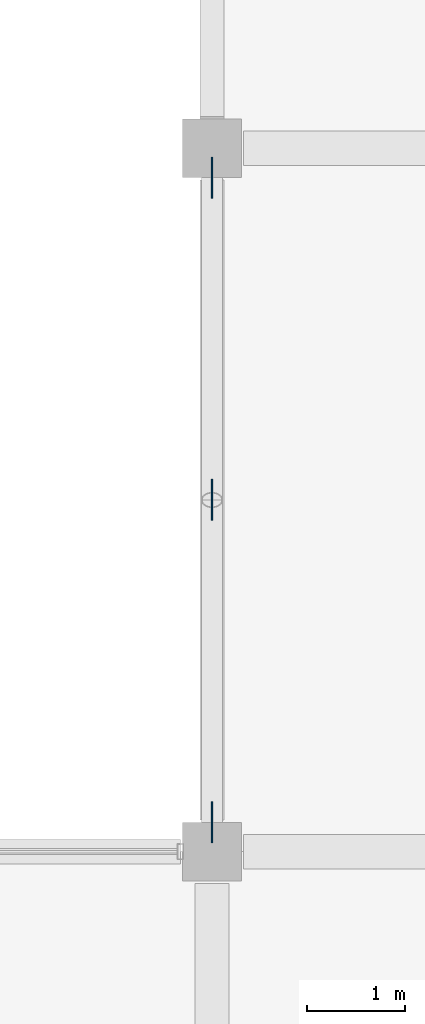
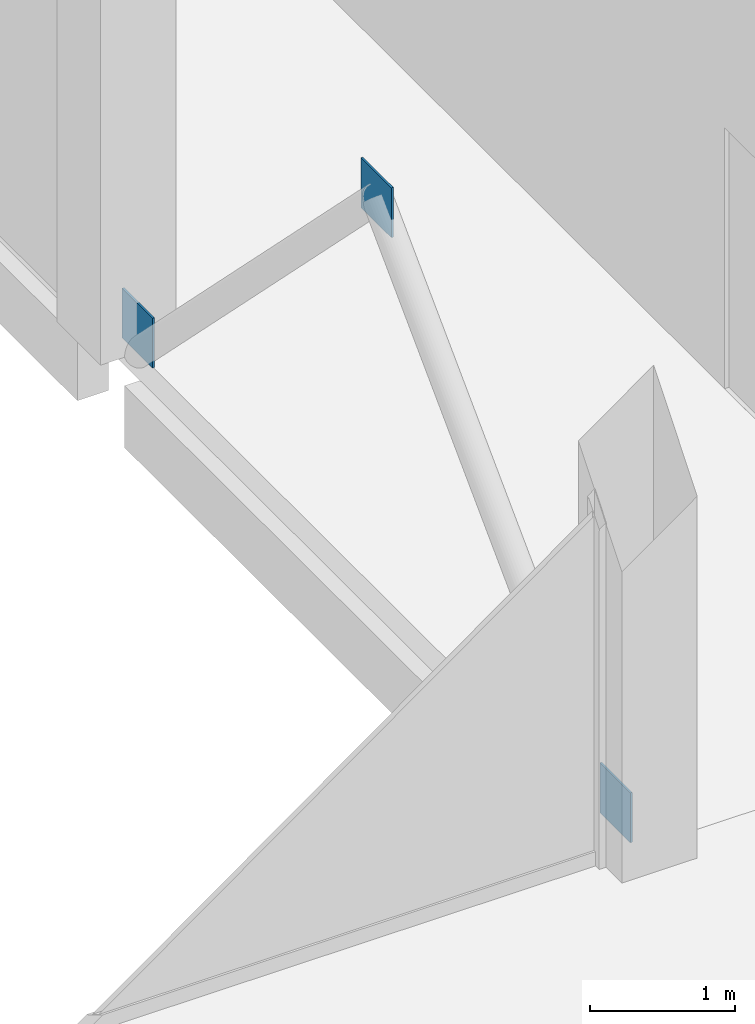
# One storey, part 36 of 59: 3 plates.
"""IFC4 building model written with IfcOpenShell, lengths in metres."""

from ifc_helpers import new_model, si_unit, direction, frame, origin, origin_2d, place, context, subcontext, project, spatial, rectangle, extrude, material, layer, layer_set, type_object, element, save


model = new_model("IFC4")

# Units and contexts
model_context = context("Model", 3, precision=1e-05, world=origin(), true_north=direction((0.0, 1.0)))
body_context = subcontext(model_context, "Body", "Model", "MODEL_VIEW")
ifc_project = project(units=[si_unit("LENGTHUNIT", "METRE"), si_unit("AREAUNIT", "SQUARE_METRE"), si_unit("VOLUMEUNIT", "CUBIC_METRE"), si_unit("PLANEANGLEUNIT", "RADIAN"), si_unit("MASSUNIT", "GRAM", prefix="KILO")], contexts=[model_context])

# Site, building, storey
site_placement = place(None, origin())
site = spatial("IfcSite", under=ifc_project, at=site_placement, CompositionType="ELEMENT")
building_placement = place(site_placement, origin())
building = spatial("IfcBuilding", under=site, at=building_placement, Name="Kangsadwip Square Police Headquarters", CompositionType="ELEMENT")
storey_placement = place(building_placement, frame((0.0, 0.0, 21.60009765625)))
storey = spatial("IfcBuildingStorey", under=building, at=storey_placement, Name="L05", CompositionType="ELEMENT", Elevation=21.60009765625)

# Plates
ifc_material = material(Name="Structural steel IS 2062 E350 (Grade 350, 350 MPa)", Category="steel")
ifc_layer = layer(ifc_material, 0.01611328125)
ifc_layer_set = layer_set([ifc_layer], Name="Structural steel IS 2062 E350 (Grade 350, 350 MPa)")
plate_type = type_object("IfcPlateType", Name="TrussGussetPlate16", PredefinedType="USERDEFINED", material=ifc_layer_set)
for number, where, z_axis, x_axis, name in (
    (1, (144.0, 39.60009765625, 3.099853515625), (0.0, 0.0, 1.0), (0.0, 1.0, 0.0), "Truss Node Gusset Plate GP-L05-0166"),
    (2, (144.0, 36.300048828125, 0.0), (0.0, 0.0, 1.0), (0.0, 1.0, 0.0), "Truss Node Gusset Plate GP-L05-0167"),
    (3, (144.0, 42.89990234375, 0.0), (0.0, 0.0, 1.0), (0.0, 1.0, 0.0), "Truss Node Gusset Plate GP-L05-0168"),
):
    element("IfcPlate", number, at=place(storey_placement, frame(where, z_axis=z_axis, x_axis=x_axis)), inside=storey, type_object=plate_type, Name=name, ObjectType="GUSSET_PLATE", PredefinedType="USERDEFINED", context=body_context, shape_type="SweptSolid", body=[
        extrude(rectangle(XDim=0.419921875, YDim=0.01611328125, at=origin_2d()), origin(), (0.0, 0.0, 1.0), 0.419921875),
    ])

save(model, "model.ifc")
